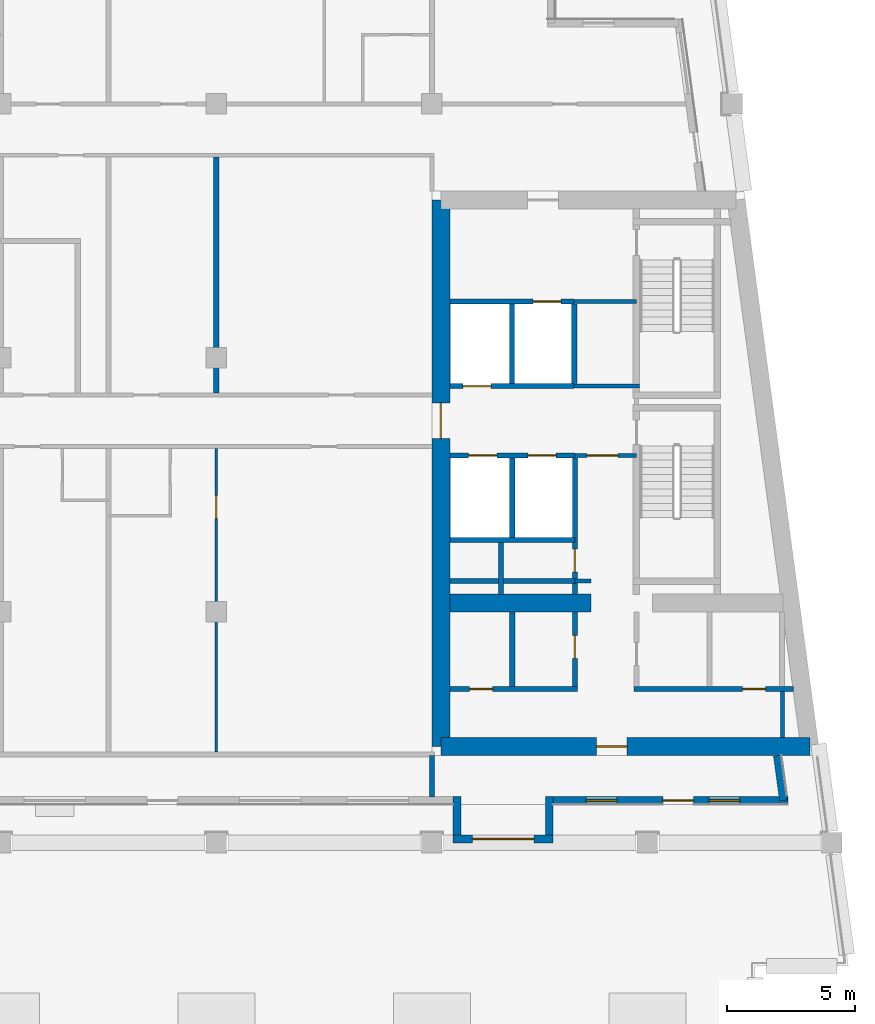
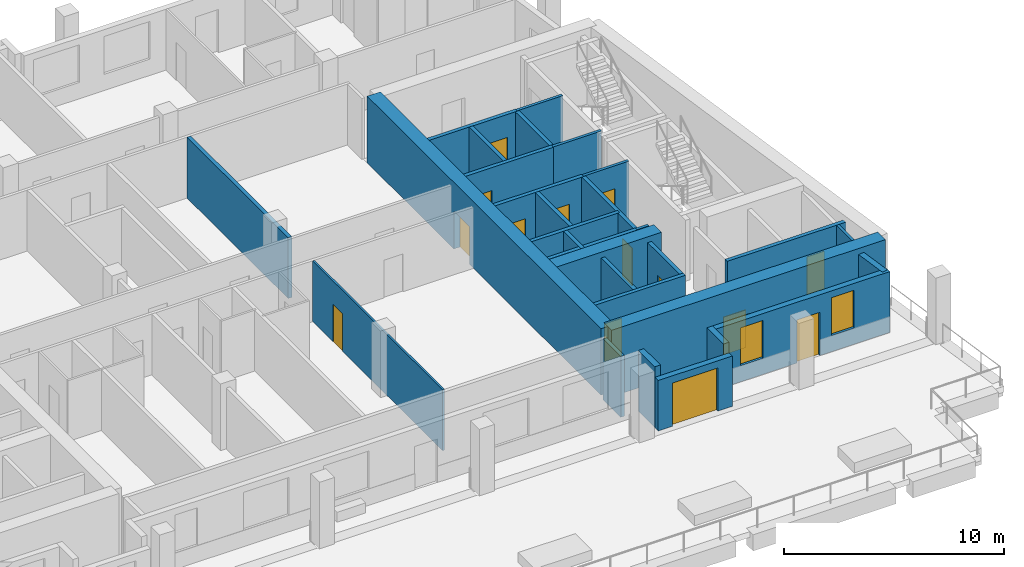
# One storey, part 4 of 12: 30 walls, 14 doors, 2 windows, 16 openings.
"""IFC4 building model written with IfcOpenShell, lengths in metres."""

from ifc_helpers import new_model, si_unit, direction, frame, frame_2d, origin, place, context, subcontext, project, spatial, rectangle, extrude, material, layer, layer_set, type_object, element, fill, save


model = new_model("IFC4")

# Units and contexts
model_context = context("Model", 3, precision=1e-05, world=origin(), true_north=direction((0.0, 1.0)))
body_context = subcontext(model_context, "Body", "Model", "MODEL_VIEW")
ifc_project = project(units=[si_unit("LENGTHUNIT", "METRE"), si_unit("AREAUNIT", "SQUARE_METRE"), si_unit("VOLUMEUNIT", "CUBIC_METRE"), si_unit("PLANEANGLEUNIT", "RADIAN"), si_unit("MASSUNIT", "GRAM", prefix="KILO")], contexts=[model_context])

# Site, building, storey
site_placement = place(None, origin())
site = spatial("IfcSite", under=ifc_project, at=site_placement, CompositionType="ELEMENT")
building_placement = place(site_placement, origin())
building = spatial("IfcBuilding", under=site, at=building_placement, Name="Candeia Pilgrim Tower and Theatre", CompositionType="ELEMENT")
storey_placement = place(building_placement, frame((0.0, 0.0, 259.0)))
storey = spatial("IfcBuildingStorey", under=building, at=storey_placement, Name="L62", CompositionType="ELEMENT", Elevation=259.0)

# Wall, opening, door
ifc_material_1 = material(Name="Concrete C40/50", Category="concrete")
ifc_layer_1 = layer(ifc_material_1, 0.699951171875)
ifc_layer_set_1 = layer_set([ifc_layer_1], Name="Core wall 700 C40/50")
wall_type_1 = type_object("IfcWallType", Name="Core wall 700 C40/50", PredefinedType="SHEAR", material=ifc_layer_set_1)
wall_1_placement = place(storey_placement, frame((140.73046875, 110.75, 0.0), z_axis=(0.0, 0.0, 1.0), x_axis=(-1.0, 0.0, 0.0)))
wall_1 = element("IfcWall", 1, at=wall_1_placement, inside=storey, type_object=wall_type_1, Name="Core wall E3", PredefinedType="SHEAR", context=body_context, shape_type="SweptSolid", body=[
    extrude(rectangle(XDim=14.38037109375, YDim=0.699951171875, at=frame_2d((7.190185546875, 0.0))), origin(), (0.0, 0.0, 1.0), 3.699951171875),
])
opening_1_placement = place(wall_1_placement, frame((7.1201171875, 0.0, 0.0)))
opening_1 = element("IfcOpeningElement", 2, at=opening_1_placement, cuts=wall_1, Name="Opening L62-D043", PredefinedType="OPENING", context=body_context, shape_type="SweptSolid", body=[
    extrude(rectangle(XDim=1.199951171875, YDim=2.10009765625, at=frame_2d((0.60009765625, 1.050048828125))), frame((0.0, 0.35986328125, 0.0), z_axis=(0.0, -1.0, 0.0), x_axis=(1.0, 0.0, 0.0)), (0.0, 0.0, 1.0), 0.719970703125),
])
ifc_material_2 = material(Name="Steel fire door set", Category="steel")
door_type_1 = type_object("IfcDoorType", Name="D-1200-FD60", OperationType="NOTDEFINED", PredefinedType="DOOR", material=ifc_material_2)
door_1_placement = place(opening_1_placement, origin())
door_1 = element("IfcDoor", 3, at=door_1_placement, inside=storey, type_object=door_type_1, Name="Door L62-D043", OperationType="SINGLE_SWING_LEFT", OverallHeight=2.10009765625, OverallWidth=1.199951171875, PredefinedType="DOOR", context=body_context, shape_type="SweptSolid", body=[
    extrude(rectangle(XDim=1.199951171875, YDim=2.10009765625, at=frame_2d((0.60009765625, 1.050048828125))), frame((0.0, 0.02490234375, 0.0), z_axis=(0.0, -1.0, 0.0), x_axis=(1.0, 0.0, 0.0)), (0.0, 0.0, 1.0), 0.050048828125),
])
fill(opening_1, door_1)

wall_2_placement = place(storey_placement, frame((126.35009765625, 110.75, 0.0), z_axis=(0.0, 0.0, 1.0), x_axis=(0.0, 1.0, 0.0)))
wall_2 = element("IfcWall", 4, at=wall_2_placement, inside=storey, type_object=wall_type_1, Name="Core wall E4", PredefinedType="SHEAR", context=body_context, shape_type="SweptSolid", body=[
    extrude(rectangle(XDim=21.300048828125, YDim=0.699951171875, at=frame_2d((10.64990234375, 0.0))), origin(), (0.0, 0.0, 1.0), 3.699951171875),
])
opening_2_placement = place(wall_2_placement, frame((12.0, 0.0, 0.0)))
opening_2 = element("IfcOpeningElement", 5, at=opening_2_placement, cuts=wall_2, Name="Opening L62-D047", PredefinedType="OPENING", context=body_context, shape_type="SweptSolid", body=[
    extrude(rectangle(XDim=1.39990234375, YDim=2.10009765625, at=frame_2d((0.699951171875, 1.050048828125))), frame((0.0, 0.35986328125, 0.0), z_axis=(0.0, -1.0, 0.0), x_axis=(1.0, 0.0, 0.0)), (0.0, 0.0, 1.0), 0.719970703125),
])
door_type_2 = type_object("IfcDoorType", Name="D-1400-FD60", OperationType="NOTDEFINED", PredefinedType="DOOR", material=ifc_material_2)
door_2_placement = place(opening_2_placement, origin())
door_2 = element("IfcDoor", 6, at=door_2_placement, inside=storey, type_object=door_type_2, Name="Door L62-D047", OperationType="SINGLE_SWING_LEFT", OverallHeight=2.10009765625, OverallWidth=1.39990234375, PredefinedType="DOOR", context=body_context, shape_type="SweptSolid", body=[
    extrude(rectangle(XDim=1.39990234375, YDim=2.10009765625, at=frame_2d((0.699951171875, 1.050048828125))), frame((0.0, 0.02490234375, 0.0), z_axis=(0.0, -1.0, 0.0), x_axis=(1.0, 0.0, 0.0)), (0.0, 0.0, 1.0), 0.050048828125),
])
fill(opening_2, door_2)

# Wall
wall_3_placement = place(storey_placement, frame((126.699951171875, 116.35009765625, 0.0), z_axis=(0.0, 0.0, 1.0), x_axis=(1.0, 0.0, 0.0)))
element("IfcWall", 7, at=wall_3_placement, inside=storey, type_object=wall_type_1, Name="Core wall E5", PredefinedType="SHEAR", context=body_context, shape_type="SweptSolid", body=[
    extrude(rectangle(XDim=5.5, YDim=0.699951171875, at=frame_2d((2.75, 0.0))), origin(), (0.0, 0.0, 1.0), 3.699951171875),
])

# Wall, openings, door, windows
ifc_material_3 = material(Name="Ceramic block masonry", Category="masonry")
ifc_layer_2 = layer(ifc_material_3, 0.300048828125)
ifc_layer_set_2 = layer_set([ifc_layer_2], Name="EW1 glazing-line wall 300")
wall_type_2 = type_object("IfcWallType", Name="EW1 glazing-line wall 300", PredefinedType="SOLIDWALL", material=ifc_layer_set_2)
wall_4_placement = place(storey_placement, frame((130.7294921875, 108.64990234375, 0.0), z_axis=(0.0, 0.0, 1.0), x_axis=(1.0, 0.0, 0.0)))
wall_4 = element("IfcWall", 8, at=wall_4_placement, inside=storey, type_object=wall_type_2, Name="External wall L62-1.2", PredefinedType="SOLIDWALL", context=body_context, shape_type="SweptSolid", body=[
    extrude(rectangle(XDim=9.1435546875, YDim=0.300048828125, at=frame_2d((4.57177734375, 0.0))), origin(), (0.0, 0.0, 1.0), 3.3798828125),
])
opening_3_placement = place(wall_4_placement, frame((1.285400390625, 0.0, 0.89990234375)))
opening_3 = element("IfcOpeningElement", 9, at=opening_3_placement, cuts=wall_4, Name="Opening W-B", PredefinedType="OPENING", context=body_context, shape_type="SweptSolid", body=[
    extrude(rectangle(XDim=1.199951171875, YDim=2.10009765625, at=frame_2d((0.60009765625, 1.050048828125))), frame((0.0, 0.16015625, 0.0), z_axis=(0.0, -1.0, 0.0), x_axis=(1.0, 0.0, 0.0)), (0.0, 0.0, 1.0), 0.320068359375),
])
opening_4_placement = place(wall_4_placement, frame((4.2705078125, 0.0, 0.0)))
opening_4 = element("IfcOpeningElement", 10, at=opening_4_placement, cuts=wall_4, Name="Opening L62-ED588", PredefinedType="OPENING", context=body_context, shape_type="SweptSolid", body=[
    extrude(rectangle(XDim=1.199951171875, YDim=2.39990234375, at=frame_2d((0.60009765625, 1.199951171875))), frame((0.0, 0.16015625, 0.0), z_axis=(0.0, -1.0, 0.0), x_axis=(1.0, 0.0, 0.0)), (0.0, 0.0, 1.0), 0.320068359375),
])
opening_5_placement = place(wall_4_placement, frame((6.070556640625, 0.0, 0.89990234375)))
opening_5 = element("IfcOpeningElement", 11, at=opening_5_placement, cuts=wall_4, Name="Opening W-B", PredefinedType="OPENING", context=body_context, shape_type="SweptSolid", body=[
    extrude(rectangle(XDim=1.199951171875, YDim=2.10009765625, at=frame_2d((0.60009765625, 1.050048828125))), frame((0.0, 0.16015625, 0.0), z_axis=(0.0, -1.0, 0.0), x_axis=(1.0, 0.0, 0.0)), (0.0, 0.0, 1.0), 0.320068359375),
])
ifc_material_4 = material(Name="Aluminium framed glazed door", Category="aluminium")
door_type_3 = type_object("IfcDoorType", Name="Loggia door 1200x2400", OperationType="DOUBLE_DOOR_SINGLE_SWING", PredefinedType="DOOR", material=ifc_material_4)
door_3_placement = place(opening_4_placement, origin())
door_3 = element("IfcDoor", 12, at=door_3_placement, inside=storey, type_object=door_type_3, Name="Loggia door L62-ED588", OperationType="DOUBLE_DOOR_SINGLE_SWING", OverallHeight=2.39990234375, OverallWidth=1.199951171875, PredefinedType="DOOR", context=body_context, shape_type="SweptSolid", body=[
    extrude(rectangle(XDim=1.199951171875, YDim=2.39990234375, at=frame_2d((0.60009765625, 1.199951171875))), frame((0.0, 0.02490234375, 0.0), z_axis=(0.0, -1.0, 0.0), x_axis=(1.0, 0.0, 0.0)), (0.0, 0.0, 1.0), 0.050048828125),
])
fill(opening_4, door_3)
ifc_material_5 = material(Name="Aluminium framed double glazing", Category="aluminium")
window_type = type_object("IfcWindowType", Name="W-B window 1200x2100", PartitioningType="SINGLE_PANEL", PredefinedType="WINDOW", material=ifc_material_5)
window_1_placement = place(opening_3_placement, origin())
window_1 = element("IfcWindow", 13, at=window_1_placement, inside=storey, type_object=window_type, Name="Window W-B L62", OverallHeight=2.10009765625, OverallWidth=1.199951171875, PartitioningType="SINGLE_PANEL", PredefinedType="WINDOW", context=body_context, shape_type="SweptSolid", body=[
    extrude(rectangle(XDim=1.199951171875, YDim=2.10009765625, at=frame_2d((0.60009765625, 1.050048828125))), frame((0.0, 0.030029296875, 0.0), z_axis=(0.0, -1.0, 0.0), x_axis=(1.0, 0.0, 0.0)), (0.0, 0.0, 1.0), 0.06005859375),
])
fill(opening_3, window_1)
window_2_placement = place(opening_5_placement, origin())
window_2 = element("IfcWindow", 14, at=window_2_placement, inside=storey, type_object=window_type, Name="Window W-B L62", OverallHeight=2.10009765625, OverallWidth=1.199951171875, PartitioningType="SINGLE_PANEL", PredefinedType="WINDOW", context=body_context, shape_type="SweptSolid", body=[
    extrude(rectangle(XDim=1.199951171875, YDim=2.10009765625, at=frame_2d((0.60009765625, 1.050048828125))), frame((0.0, 0.030029296875, 0.0), z_axis=(0.0, -1.0, 0.0), x_axis=(1.0, 0.0, 0.0)), (0.0, 0.0, 1.0), 0.06005859375),
])
fill(opening_5, window_2)

# Walls
wall_5_placement = place(storey_placement, frame((139.701416015625, 108.64990234375, 0.0), z_axis=(0.0, 0.0, 1.0), x_axis=(-0.133422458344, 0.991059255347, 0.0)))
element("IfcWall", 15, at=wall_5_placement, inside=storey, type_object=wall_type_2, Name="External wall L62-2.0", PredefinedType="SOLIDWALL", context=body_context, shape_type="SweptSolid", body=[
    extrude(rectangle(XDim=1.765869140625, YDim=0.300048828125, at=frame_2d((0.8828125, 0.0))), origin(), (0.0, 0.0, 1.0), 3.3798828125),
])
ifc_layer_3 = layer(ifc_material_3, 0.300048828125)
ifc_layer_set_3 = layer_set([ifc_layer_3], Name="EW2 entrance infill wall 300")
wall_type_3 = type_object("IfcWallType", Name="EW2 entrance infill wall 300", PredefinedType="SOLIDWALL", material=ifc_layer_set_3)
for number, where, z_axis, x_axis, name in (
    (16, (126.9794921875, 108.800048828125, 0.0), (0.0, 0.0, 1.0), (0.0, -1.0, 0.0), "Alcove wall L62"),
    (17, (130.579345703125, 108.800048828125, 0.0), (0.0, 0.0, 1.0), (0.0, -1.0, 0.0), "Alcove wall L62"),
):
    element("IfcWall", number, at=place(storey_placement, frame(where, z_axis=z_axis, x_axis=x_axis)), inside=storey, type_object=wall_type_3, Name=name, PredefinedType="SOLIDWALL", context=body_context, shape_type="SweptSolid", body=[
        extrude(rectangle(XDim=1.5, YDim=0.300048828125, at=frame_2d((0.75, 0.0))), origin(), (0.0, 0.0, 1.0), 3.3798828125),
    ])

# Wall, opening, door
wall_6_placement = place(storey_placement, frame((126.829345703125, 107.14990234375, 0.0), z_axis=(0.0, 0.0, 1.0), x_axis=(1.0, 0.0, 0.0)))
wall_6 = element("IfcWall", 18, at=wall_6_placement, inside=storey, type_object=wall_type_3, Name="Alcove wall L62", PredefinedType="SOLIDWALL", context=body_context, shape_type="SweptSolid", body=[
    extrude(rectangle(XDim=3.900146484375, YDim=0.300048828125, at=frame_2d((1.9501953125, 0.0))), origin(), (0.0, 0.0, 1.0), 2.800048828125),
])
opening_6_placement = place(wall_6_placement, frame((0.75, 0.0, 0.0)))
opening_6 = element("IfcOpeningElement", 19, at=opening_6_placement, cuts=wall_6, Name="Opening L62-ED590", PredefinedType="OPENING", context=body_context, shape_type="SweptSolid", body=[
    extrude(rectangle(XDim=2.39990234375, YDim=2.39990234375, at=frame_2d((1.199951171875, 1.199951171875))), frame((0.0, 0.16015625, 0.0), z_axis=(0.0, -1.0, 0.0), x_axis=(1.0, 0.0, 0.0)), (0.0, 0.0, 1.0), 0.320068359375),
])
door_type_4 = type_object("IfcDoorType", Name="ED entrance double door 2400x2400", OperationType="DOUBLE_DOOR_DOUBLE_SWING", PredefinedType="DOOR", material=ifc_material_4)
door_4_placement = place(opening_6_placement, origin())
door_4 = element("IfcDoor", 20, at=door_4_placement, inside=storey, type_object=door_type_4, Name="Terrace door L62-ED590", OperationType="DOUBLE_DOOR_DOUBLE_SWING", OverallHeight=2.39990234375, OverallWidth=2.39990234375, PredefinedType="DOOR", context=body_context, shape_type="SweptSolid", body=[
    extrude(rectangle(XDim=2.39990234375, YDim=2.39990234375, at=frame_2d((1.199951171875, 1.199951171875))), frame((0.0, 0.02490234375, 0.0), z_axis=(0.0, -1.0, 0.0), x_axis=(1.0, 0.0, 0.0)), (0.0, 0.0, 1.0), 0.050048828125),
])
fill(opening_6, door_4)

ifc_material_6 = material(Name="Gypsum board partition on steel studs", Category="steel")
ifc_layer_4 = layer(ifc_material_6, 0.10009765625)
ifc_layer_set_4 = layer_set([ifc_layer_4], Name="PW-100 room partition")
wall_type_4 = type_object("IfcWallType", Name="PW-100 room partition", PredefinedType="PARTITIONING", material=ifc_layer_set_4)
wall_7_placement = place(storey_placement, frame((117.60009765625, 110.550048828125, 0.0), z_axis=(0.0, 0.0, 1.0), x_axis=(0.0, 1.0, 0.0)))
wall_7 = element("IfcWall", 21, at=wall_7_placement, inside=storey, type_object=wall_type_4, Name="Room partition L62-076", PredefinedType="PARTITIONING", context=body_context, shape_type="SweptSolid", body=[
    extrude(rectangle(XDim=11.824951171875, YDim=0.10009765625, at=frame_2d((5.91259765625, 0.0))), origin(), (0.0, 0.0, 1.0), 3.3798828125),
])
opening_7_placement = place(wall_7_placement, frame((9.090087890625, 0.0, 0.0)))
opening_7 = element("IfcOpeningElement", 22, at=opening_7_placement, cuts=wall_7, Name="Opening L62-D024", PredefinedType="OPENING", context=body_context, shape_type="SweptSolid", body=[
    extrude(rectangle(XDim=0.89990234375, YDim=2.10009765625, at=frame_2d((0.449951171875, 1.050048828125))), frame((0.0, 0.06005859375, 0.0), z_axis=(0.0, -1.0, 0.0), x_axis=(1.0, 0.0, 0.0)), (0.0, 0.0, 1.0), 0.1201171875),
])
ifc_material_7 = material(Name="Timber door leaf", Category="wood")
door_type_5 = type_object("IfcDoorType", Name="D-900", OperationType="NOTDEFINED", PredefinedType="DOOR", material=ifc_material_7)
door_5_placement = place(opening_7_placement, origin())
door_5 = element("IfcDoor", 23, at=door_5_placement, inside=storey, type_object=door_type_5, Name="Door L62-D024", OperationType="SINGLE_SWING_RIGHT", OverallHeight=2.10009765625, OverallWidth=0.89990234375, PredefinedType="DOOR", context=body_context, shape_type="SweptSolid", body=[
    extrude(rectangle(XDim=0.89990234375, YDim=2.10009765625, at=frame_2d((0.449951171875, 1.050048828125))), frame((0.0, 0.02490234375, 0.0), z_axis=(0.0, -1.0, 0.0), x_axis=(1.0, 0.0, 0.0)), (0.0, 0.0, 1.0), 0.050048828125),
])
fill(opening_7, door_5)

# Wall
ifc_layer_5 = layer(ifc_material_6, 0.14990234375)
ifc_layer_set_5 = layer_set([ifc_layer_5], Name="PW-150 lobby wall")
wall_type_5 = type_object("IfcWallType", Name="PW-150 lobby wall", PredefinedType="PARTITIONING", material=ifc_layer_set_5)
wall_8_placement = place(storey_placement, frame((131.572998046875, 117.199951171875, 0.0), z_axis=(0.0, 0.0, 1.0), x_axis=(1.0, 0.0, 0.0)))
element("IfcWall", 24, at=wall_8_placement, inside=storey, type_object=wall_type_5, Name="Lobby wall L62-009", PredefinedType="PARTITIONING", context=body_context, shape_type="SweptSolid", body=[
    extrude(rectangle(XDim=0.626953125, YDim=0.14990234375, at=frame_2d((0.3134765625, 0.0))), origin(), (0.0, 0.0, 1.0), 3.3798828125),
])

# Wall, opening, door
wall_9_placement = place(storey_placement, frame((131.572998046875, 122.10009765625, 0.0), z_axis=(0.0, 0.0, 1.0), x_axis=(1.0, 0.0, 0.0)))
wall_9 = element("IfcWall", 25, at=wall_9_placement, inside=storey, type_object=wall_type_5, Name="Lobby wall L62-020", PredefinedType="PARTITIONING", context=body_context, shape_type="SweptSolid", body=[
    extrude(rectangle(XDim=2.39990234375, YDim=0.14990234375, at=frame_2d((1.199951171875, 0.0))), origin(), (0.0, 0.0, 1.0), 3.3798828125),
])
opening_8_placement = place(wall_9_placement, frame((0.47509765625, 0.0, 0.0)))
opening_8 = element("IfcOpeningElement", 26, at=opening_8_placement, cuts=wall_9, Name="Opening L62-D009", PredefinedType="OPENING", context=body_context, shape_type="SweptSolid", body=[
    extrude(rectangle(XDim=1.199951171875, YDim=2.10009765625, at=frame_2d((0.60009765625, 1.050048828125))), frame((0.0, 0.0849609375, 0.0), z_axis=(0.0, -1.0, 0.0), x_axis=(1.0, 0.0, 0.0)), (0.0, 0.0, 1.0), 0.169921875),
])
door_6_placement = place(opening_8_placement, origin())
door_6 = element("IfcDoor", 27, at=door_6_placement, inside=storey, type_object=door_type_1, Name="Door L62-D009", OperationType="SINGLE_SWING_LEFT", OverallHeight=2.10009765625, OverallWidth=1.199951171875, PredefinedType="DOOR", context=body_context, shape_type="SweptSolid", body=[
    extrude(rectangle(XDim=1.199951171875, YDim=2.10009765625, at=frame_2d((0.60009765625, 1.050048828125))), frame((0.0, 0.02490234375, 0.0), z_axis=(0.0, -1.0, 0.0), x_axis=(1.0, 0.0, 0.0)), (0.0, 0.0, 1.0), 0.050048828125),
])
fill(opening_8, door_6)

# Walls
wall_10_placement = place(storey_placement, frame((131.548583984375, 124.800048828125, 0.0), z_axis=(0.0, 0.0, 1.0), x_axis=(1.0, 0.0, 0.0)))
element("IfcWall", 28, at=wall_10_placement, inside=storey, type_object=wall_type_5, Name="Lobby wall L62-029", PredefinedType="PARTITIONING", context=body_context, shape_type="SweptSolid", body=[
    extrude(rectangle(XDim=2.54931640625, YDim=0.14990234375, at=frame_2d((1.274658203125, 0.0))), origin(), (0.0, 0.0, 1.0), 3.3798828125),
])
wall_11_placement = place(storey_placement, frame((131.548583984375, 128.10009765625, 0.0), z_axis=(0.0, 0.0, 1.0), x_axis=(1.0, 0.0, 0.0)))
element("IfcWall", 29, at=wall_11_placement, inside=storey, type_object=wall_type_5, Name="Lobby wall L62-032", PredefinedType="PARTITIONING", context=body_context, shape_type="SweptSolid", body=[
    extrude(rectangle(XDim=2.42431640625, YDim=0.14990234375, at=frame_2d((1.212158203125, 0.0))), origin(), (0.0, 0.0, 1.0), 3.3798828125),
])
wall_12_placement = place(storey_placement, frame((139.673095703125, 111.10009765625, 0.0), z_axis=(0.0, 0.0, 1.0), x_axis=(0.0, 1.0, 0.0)))
element("IfcWall", 30, at=wall_12_placement, inside=storey, type_object=wall_type_5, Name="Lobby wall L62-098", PredefinedType="PARTITIONING", context=body_context, shape_type="SweptSolid", body=[
    extrude(rectangle(XDim=1.7998046875, YDim=0.14990234375, at=frame_2d((0.89990234375, 0.0))), origin(), (0.0, 0.0, 1.0), 3.3798828125),
])
ifc_layer_6 = layer(ifc_material_6, 0.199951171875)
ifc_layer_set_6 = layer_set([ifc_layer_6], Name="PW-200 party wall")
wall_type_6 = type_object("IfcWallType", Name="PW-200 party wall", PredefinedType="PARTITIONING", material=ifc_layer_set_6)
wall_13_placement = place(storey_placement, frame((117.60009765625, 124.52490234375, 0.0), z_axis=(0.0, 0.0, 1.0), x_axis=(0.0, 1.0, 0.0)))
element("IfcWall", 31, at=wall_13_placement, inside=storey, type_object=wall_type_6, Name="Party wall L62-077", PredefinedType="PARTITIONING", context=body_context, shape_type="SweptSolid", body=[
    extrude(rectangle(XDim=9.2001953125, YDim=0.199951171875, at=frame_2d((4.60009765625, 0.0))), origin(), (0.0, 0.0, 1.0), 3.3798828125),
])
wall_14_placement = place(storey_placement, frame((126.0, 108.7900390625, 0.0), z_axis=(0.0, 0.0, 1.0), x_axis=(0.0, 1.0, 0.0)))
element("IfcWall", 32, at=wall_14_placement, inside=storey, type_object=wall_type_6, Name="Party wall L62-080", PredefinedType="PARTITIONING", context=body_context, shape_type="SweptSolid", body=[
    extrude(rectangle(XDim=1.60986328125, YDim=0.199951171875, at=frame_2d((0.804931640625, 0.0))), origin(), (0.0, 0.0, 1.0), 3.3798828125),
])

# Wall, opening, door
ifc_layer_7 = layer(ifc_material_1, 0.199951171875)
ifc_layer_set_7 = layer_set([ifc_layer_7], Name="SW-200 shaft wall")
wall_type_7 = type_object("IfcWallType", Name="SW-200 shaft wall", PredefinedType="PARTITIONING", material=ifc_layer_set_7)
wall_15_placement = place(storey_placement, frame((126.699951171875, 113.0, 0.0), z_axis=(0.0, 0.0, 1.0), x_axis=(1.0, 0.0, 0.0)))
wall_15 = element("IfcWall", 33, at=wall_15_placement, inside=storey, type_object=wall_type_7, Name="Shaft wall L62-004", PredefinedType="PARTITIONING", context=body_context, shape_type="SweptSolid", body=[
    extrude(rectangle(XDim=4.97314453125, YDim=0.199951171875, at=frame_2d((2.486572265625, 0.0))), origin(), (0.0, 0.0, 1.0), 3.3798828125),
])
opening_9_placement = place(wall_15_placement, frame((0.76806640625, 0.0, 0.0)))
opening_9 = element("IfcOpeningElement", 34, at=opening_9_placement, cuts=wall_15, Name="Opening L62-D016", PredefinedType="OPENING", context=body_context, shape_type="SweptSolid", body=[
    extrude(rectangle(XDim=0.89990234375, YDim=2.10009765625, at=frame_2d((0.449951171875, 1.050048828125))), frame((0.0, 0.10986328125, 0.0), z_axis=(0.0, -1.0, 0.0), x_axis=(1.0, 0.0, 0.0)), (0.0, 0.0, 1.0), 0.219970703125),
])
door_type_6 = type_object("IfcDoorType", Name="D-900-FD60", OperationType="NOTDEFINED", PredefinedType="DOOR", material=ifc_material_2)
door_7_placement = place(opening_9_placement, origin())
door_7 = element("IfcDoor", 35, at=door_7_placement, inside=storey, type_object=door_type_6, Name="Door L62-D016", OperationType="SINGLE_SWING_RIGHT", OverallHeight=2.10009765625, OverallWidth=0.89990234375, PredefinedType="DOOR", context=body_context, shape_type="SweptSolid", body=[
    extrude(rectangle(XDim=0.89990234375, YDim=2.10009765625, at=frame_2d((0.449951171875, 1.050048828125))), frame((0.0, 0.02490234375, 0.0), z_axis=(0.0, -1.0, 0.0), x_axis=(1.0, 0.0, 0.0)), (0.0, 0.0, 1.0), 0.050048828125),
])
fill(opening_9, door_7)

wall_16_placement = place(storey_placement, frame((133.873046875, 113.0, 0.0), z_axis=(0.0, 0.0, 1.0), x_axis=(1.0, 0.0, 0.0)))
wall_16 = element("IfcWall", 36, at=wall_16_placement, inside=storey, type_object=wall_type_7, Name="Shaft wall L62-005", PredefinedType="PARTITIONING", context=body_context, shape_type="SweptSolid", body=[
    extrude(rectangle(XDim=6.2314453125, YDim=0.199951171875, at=frame_2d((3.11572265625, 0.0))), origin(), (0.0, 0.0, 1.0), 3.3798828125),
])
opening_10_placement = place(wall_16_placement, frame((4.237060546875, 0.0, 0.0)))
opening_10 = element("IfcOpeningElement", 37, at=opening_10_placement, cuts=wall_16, Name="Opening L62-D013", PredefinedType="OPENING", context=body_context, shape_type="SweptSolid", body=[
    extrude(rectangle(XDim=0.89990234375, YDim=2.10009765625, at=frame_2d((0.449951171875, 1.050048828125))), frame((0.0, 0.10986328125, 0.0), z_axis=(0.0, -1.0, 0.0), x_axis=(1.0, 0.0, 0.0)), (0.0, 0.0, 1.0), 0.219970703125),
])
door_8_placement = place(opening_10_placement, origin())
door_8 = element("IfcDoor", 38, at=door_8_placement, inside=storey, type_object=door_type_6, Name="Door L62-D013", OperationType="SINGLE_SWING_LEFT", OverallHeight=2.10009765625, OverallWidth=0.89990234375, PredefinedType="DOOR", context=body_context, shape_type="SweptSolid", body=[
    extrude(rectangle(XDim=0.89990234375, YDim=2.10009765625, at=frame_2d((0.449951171875, 1.050048828125))), frame((0.0, 0.02490234375, 0.0), z_axis=(0.0, -1.0, 0.0), x_axis=(1.0, 0.0, 0.0)), (0.0, 0.0, 1.0), 0.050048828125),
])
fill(opening_10, door_8)

# Walls
for number, where, z_axis, x_axis, name in (
    (39, (126.699951171875, 117.199951171875, 0.0), (0.0, 0.0, 1.0), (1.0, 0.0, 0.0), "Shaft wall L62-007"),
    (40, (126.699951171875, 118.800048828125, 0.0), (0.0, 0.0, 1.0), (1.0, 0.0, 0.0), "Shaft wall L62-013"),
):
    element("IfcWall", number, at=place(storey_placement, frame(where, z_axis=z_axis, x_axis=x_axis)), inside=storey, type_object=wall_type_7, Name=name, PredefinedType="PARTITIONING", context=body_context, shape_type="SweptSolid", body=[
        extrude(rectangle(XDim=4.873046875, YDim=0.199951171875, at=frame_2d((2.4365234375, 0.0))), origin(), (0.0, 0.0, 1.0), 3.3798828125),
    ])

# Wall, openings, doors
wall_17_placement = place(storey_placement, frame((126.699951171875, 122.10009765625, 0.0), z_axis=(0.0, 0.0, 1.0), x_axis=(1.0, 0.0, 0.0)))
wall_17 = element("IfcWall", 41, at=wall_17_placement, inside=storey, type_object=wall_type_7, Name="Shaft wall L62-018", PredefinedType="PARTITIONING", context=body_context, shape_type="SweptSolid", body=[
    extrude(rectangle(XDim=4.873046875, YDim=0.199951171875, at=frame_2d((2.4365234375, 0.0))), origin(), (0.0, 0.0, 1.0), 3.3798828125),
])
opening_11_placement = place(wall_17_placement, frame((3.041015625, 0.0, 0.0)))
opening_11 = element("IfcOpeningElement", 42, at=opening_11_placement, cuts=wall_17, Name="Opening L62-LD05", PredefinedType="OPENING", context=body_context, shape_type="SweptSolid", body=[
    extrude(rectangle(XDim=1.10009765625, YDim=2.10009765625, at=frame_2d((0.550048828125, 1.050048828125))), frame((0.0, 0.10986328125, 0.0), z_axis=(0.0, -1.0, 0.0), x_axis=(1.0, 0.0, 0.0)), (0.0, 0.0, 1.0), 0.219970703125),
])
opening_12_placement = place(wall_17_placement, frame((0.73193359375, 0.0, 0.0)))
opening_12 = element("IfcOpeningElement", 43, at=opening_12_placement, cuts=wall_17, Name="Opening L62-LD06", PredefinedType="OPENING", context=body_context, shape_type="SweptSolid", body=[
    extrude(rectangle(XDim=1.10009765625, YDim=2.10009765625, at=frame_2d((0.550048828125, 1.050048828125))), frame((0.0, 0.10986328125, 0.0), z_axis=(0.0, -1.0, 0.0), x_axis=(1.0, 0.0, 0.0)), (0.0, 0.0, 1.0), 0.219970703125),
])
ifc_material_8 = material(Name="Glazed aluminium landing door", Category="aluminium")
door_type_7 = type_object("IfcDoorType", Name="LD-1100-EI120", OperationType="SLIDING_TO_LEFT", PredefinedType="DOOR", material=ifc_material_8)
door_9_placement = place(opening_11_placement, origin())
door_9 = element("IfcDoor", 44, at=door_9_placement, inside=storey, type_object=door_type_7, Name="Landing door 05 L62", OperationType="SLIDING_TO_LEFT", OverallHeight=2.10009765625, OverallWidth=1.10009765625, PredefinedType="DOOR", context=body_context, shape_type="SweptSolid", body=[
    extrude(rectangle(XDim=1.10009765625, YDim=2.10009765625, at=frame_2d((0.550048828125, 1.050048828125))), frame((0.0, 0.02490234375, 0.0), z_axis=(0.0, -1.0, 0.0), x_axis=(1.0, 0.0, 0.0)), (0.0, 0.0, 1.0), 0.050048828125),
])
fill(opening_11, door_9)
door_10_placement = place(opening_12_placement, origin())
door_10 = element("IfcDoor", 45, at=door_10_placement, inside=storey, type_object=door_type_7, Name="Landing door 06 L62", OperationType="SLIDING_TO_LEFT", OverallHeight=2.10009765625, OverallWidth=1.10009765625, PredefinedType="DOOR", context=body_context, shape_type="SweptSolid", body=[
    extrude(rectangle(XDim=1.10009765625, YDim=2.10009765625, at=frame_2d((0.550048828125, 1.050048828125))), frame((0.0, 0.02490234375, 0.0), z_axis=(0.0, -1.0, 0.0), x_axis=(1.0, 0.0, 0.0)), (0.0, 0.0, 1.0), 0.050048828125),
])
fill(opening_12, door_10)

# Wall, opening, door
wall_18_placement = place(storey_placement, frame((126.699951171875, 124.800048828125, 0.0), z_axis=(0.0, 0.0, 1.0), x_axis=(1.0, 0.0, 0.0)))
wall_18 = element("IfcWall", 46, at=wall_18_placement, inside=storey, type_object=wall_type_7, Name="Shaft wall L62-028", PredefinedType="PARTITIONING", context=body_context, shape_type="SweptSolid", body=[
    extrude(rectangle(XDim=4.8486328125, YDim=0.199951171875, at=frame_2d((2.42431640625, 0.0))), origin(), (0.0, 0.0, 1.0), 3.3798828125),
])
opening_13_placement = place(wall_18_placement, frame((0.506103515625, 0.0, 0.0)))
opening_13 = element("IfcOpeningElement", 47, at=opening_13_placement, cuts=wall_18, Name="Opening L62-LD08", PredefinedType="OPENING", context=body_context, shape_type="SweptSolid", body=[
    extrude(rectangle(XDim=1.10009765625, YDim=2.10009765625, at=frame_2d((0.550048828125, 1.050048828125))), frame((0.0, 0.10986328125, 0.0), z_axis=(0.0, -1.0, 0.0), x_axis=(1.0, 0.0, 0.0)), (0.0, 0.0, 1.0), 0.219970703125),
])
door_11_placement = place(opening_13_placement, origin())
door_11 = element("IfcDoor", 48, at=door_11_placement, inside=storey, type_object=door_type_7, Name="Landing door 08 L62", OperationType="SLIDING_TO_LEFT", OverallHeight=2.10009765625, OverallWidth=1.10009765625, PredefinedType="DOOR", context=body_context, shape_type="SweptSolid", body=[
    extrude(rectangle(XDim=1.10009765625, YDim=2.10009765625, at=frame_2d((0.550048828125, 1.050048828125))), frame((0.0, 0.02490234375, 0.0), z_axis=(0.0, -1.0, 0.0), x_axis=(1.0, 0.0, 0.0)), (0.0, 0.0, 1.0), 0.050048828125),
])
fill(opening_13, door_11)

wall_19_placement = place(storey_placement, frame((126.699951171875, 128.10009765625, 0.0), z_axis=(0.0, 0.0, 1.0), x_axis=(1.0, 0.0, 0.0)))
wall_19 = element("IfcWall", 49, at=wall_19_placement, inside=storey, type_object=wall_type_7, Name="Shaft wall L62-031", PredefinedType="PARTITIONING", context=body_context, shape_type="SweptSolid", body=[
    extrude(rectangle(XDim=4.8486328125, YDim=0.199951171875, at=frame_2d((2.42431640625, 0.0))), origin(), (0.0, 0.0, 1.0), 3.3798828125),
])
opening_14_placement = place(wall_19_placement, frame((3.242919921875, 0.0, 0.0)))
opening_14 = element("IfcOpeningElement", 50, at=opening_14_placement, cuts=wall_19, Name="Opening L62-LD07", PredefinedType="OPENING", context=body_context, shape_type="SweptSolid", body=[
    extrude(rectangle(XDim=1.10009765625, YDim=2.10009765625, at=frame_2d((0.550048828125, 1.050048828125))), frame((0.0, 0.10986328125, 0.0), z_axis=(0.0, -1.0, 0.0), x_axis=(1.0, 0.0, 0.0)), (0.0, 0.0, 1.0), 0.219970703125),
])
door_12_placement = place(opening_14_placement, origin())
door_12 = element("IfcDoor", 51, at=door_12_placement, inside=storey, type_object=door_type_7, Name="Landing door 07 L62", OperationType="SLIDING_TO_LEFT", OverallHeight=2.10009765625, OverallWidth=1.10009765625, PredefinedType="DOOR", context=body_context, shape_type="SweptSolid", body=[
    extrude(rectangle(XDim=1.10009765625, YDim=2.10009765625, at=frame_2d((0.550048828125, 1.050048828125))), frame((0.0, 0.02490234375, 0.0), z_axis=(0.0, -1.0, 0.0), x_axis=(1.0, 0.0, 0.0)), (0.0, 0.0, 1.0), 0.050048828125),
])
fill(opening_14, door_12)

# Walls
wall_20_placement = place(storey_placement, frame((128.699951171875, 116.669921875, 0.0), z_axis=(0.0, 0.0, 1.0), x_axis=(0.0, 1.0, 0.0)))
element("IfcWall", 52, at=wall_20_placement, inside=storey, type_object=wall_type_7, Name="Shaft wall L62-083", PredefinedType="PARTITIONING", context=body_context, shape_type="SweptSolid", body=[
    extrude(rectangle(XDim=2.030029296875, YDim=0.199951171875, at=frame_2d((1.01513671875, 0.0))), origin(), (0.0, 0.0, 1.0), 3.3798828125),
])
wall_21_placement = place(storey_placement, frame((129.124267578125, 124.89990234375, 0.0), z_axis=(0.0, 0.0, 1.0), x_axis=(0.0, 1.0, 0.0)))
element("IfcWall", 53, at=wall_21_placement, inside=storey, type_object=wall_type_7, Name="Shaft wall L62-084", PredefinedType="PARTITIONING", context=body_context, shape_type="SweptSolid", body=[
    extrude(rectangle(XDim=3.10009765625, YDim=0.199951171875, at=frame_2d((1.550048828125, 0.0))), origin(), (0.0, 0.0, 1.0), 3.3798828125),
])
wall_22_placement = place(storey_placement, frame((129.136474609375, 113.10009765625, 0.0), z_axis=(0.0, 0.0, 1.0), x_axis=(0.0, 1.0, 0.0)))
element("IfcWall", 54, at=wall_22_placement, inside=storey, type_object=wall_type_7, Name="Shaft wall L62-085", PredefinedType="PARTITIONING", context=body_context, shape_type="SweptSolid", body=[
    extrude(rectangle(XDim=2.89990234375, YDim=0.199951171875, at=frame_2d((1.449951171875, 0.0))), origin(), (0.0, 0.0, 1.0), 3.3798828125),
])
for number, where, z_axis, x_axis, name in (
    (55, (129.136474609375, 118.89990234375, 0.0), (0.0, 0.0, 1.0), (0.0, 1.0, 0.0), "Shaft wall L62-086"),
    (56, (131.548583984375, 124.89990234375, 0.0), (0.0, 0.0, 1.0), (0.0, 1.0, 0.0), "Shaft wall L62-087"),
):
    element("IfcWall", number, at=place(storey_placement, frame(where, z_axis=z_axis, x_axis=x_axis)), inside=storey, type_object=wall_type_7, Name=name, PredefinedType="PARTITIONING", context=body_context, shape_type="SweptSolid", body=[
        extrude(rectangle(XDim=3.10009765625, YDim=0.199951171875, at=frame_2d((1.550048828125, 0.0))), origin(), (0.0, 0.0, 1.0), 3.3798828125),
    ])

# Wall, opening, door
wall_23_placement = place(storey_placement, frame((131.572998046875, 113.10009765625, 0.0), z_axis=(0.0, 0.0, 1.0), x_axis=(0.0, 1.0, 0.0)))
wall_23 = element("IfcWall", 57, at=wall_23_placement, inside=storey, type_object=wall_type_7, Name="Shaft wall L62-088", PredefinedType="PARTITIONING", context=body_context, shape_type="SweptSolid", body=[
    extrude(rectangle(XDim=2.89990234375, YDim=0.199951171875, at=frame_2d((1.449951171875, 0.0))), origin(), (0.0, 0.0, 1.0), 3.3798828125),
])
opening_15_placement = place(wall_23_placement, frame((1.090087890625, 0.0, 0.0)))
opening_15 = element("IfcOpeningElement", 58, at=opening_15_placement, cuts=wall_23, Name="Opening L62-D015", PredefinedType="OPENING", context=body_context, shape_type="SweptSolid", body=[
    extrude(rectangle(XDim=0.89990234375, YDim=2.10009765625, at=frame_2d((0.449951171875, 1.050048828125))), frame((0.0, 0.10986328125, 0.0), z_axis=(0.0, -1.0, 0.0), x_axis=(1.0, 0.0, 0.0)), (0.0, 0.0, 1.0), 0.219970703125),
])
door_13_placement = place(opening_15_placement, origin())
door_13 = element("IfcDoor", 59, at=door_13_placement, inside=storey, type_object=door_type_6, Name="Door L62-D015", OperationType="SINGLE_SWING_LEFT", OverallHeight=2.10009765625, OverallWidth=0.89990234375, PredefinedType="DOOR", context=body_context, shape_type="SweptSolid", body=[
    extrude(rectangle(XDim=0.89990234375, YDim=2.10009765625, at=frame_2d((0.449951171875, 1.050048828125))), frame((0.0, 0.02490234375, 0.0), z_axis=(0.0, -1.0, 0.0), x_axis=(1.0, 0.0, 0.0)), (0.0, 0.0, 1.0), 0.050048828125),
])
fill(opening_15, door_13)

wall_24_placement = place(storey_placement, frame((131.572998046875, 116.669921875, 0.0), z_axis=(0.0, 0.0, 1.0), x_axis=(0.0, 1.0, 0.0)))
wall_24 = element("IfcWall", 60, at=wall_24_placement, inside=storey, type_object=wall_type_7, Name="Shaft wall L62-089", PredefinedType="PARTITIONING", context=body_context, shape_type="SweptSolid", body=[
    extrude(rectangle(XDim=5.330078125, YDim=0.199951171875, at=frame_2d((2.6650390625, 0.0))), origin(), (0.0, 0.0, 1.0), 3.3798828125),
])
opening_16_placement = place(wall_24_placement, frame((0.8798828125, 0.0, 0.0)))
opening_16 = element("IfcOpeningElement", 61, at=opening_16_placement, cuts=wall_24, Name="Opening L62-D012", PredefinedType="OPENING", context=body_context, shape_type="SweptSolid", body=[
    extrude(rectangle(XDim=0.89990234375, YDim=2.10009765625, at=frame_2d((0.449951171875, 1.050048828125))), frame((0.0, 0.10986328125, 0.0), z_axis=(0.0, -1.0, 0.0), x_axis=(1.0, 0.0, 0.0)), (0.0, 0.0, 1.0), 0.219970703125),
])
door_14_placement = place(opening_16_placement, origin())
door_14 = element("IfcDoor", 62, at=door_14_placement, inside=storey, type_object=door_type_6, Name="Door L62-D012", OperationType="SINGLE_SWING_RIGHT", OverallHeight=2.10009765625, OverallWidth=0.89990234375, PredefinedType="DOOR", context=body_context, shape_type="SweptSolid", body=[
    extrude(rectangle(XDim=0.89990234375, YDim=2.10009765625, at=frame_2d((0.449951171875, 1.050048828125))), frame((0.0, 0.02490234375, 0.0), z_axis=(0.0, -1.0, 0.0), x_axis=(1.0, 0.0, 0.0)), (0.0, 0.0, 1.0), 0.050048828125),
])
fill(opening_16, door_14)

save(model, "model.ifc")
